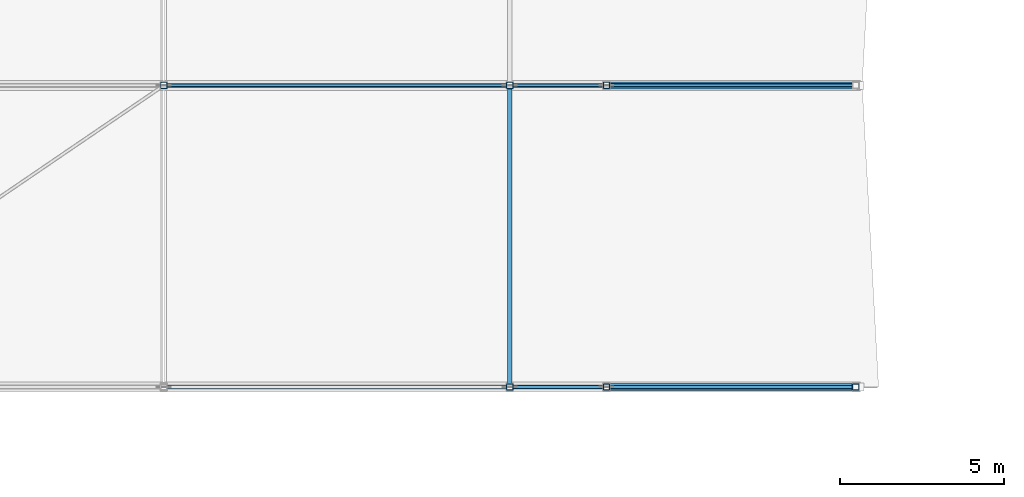
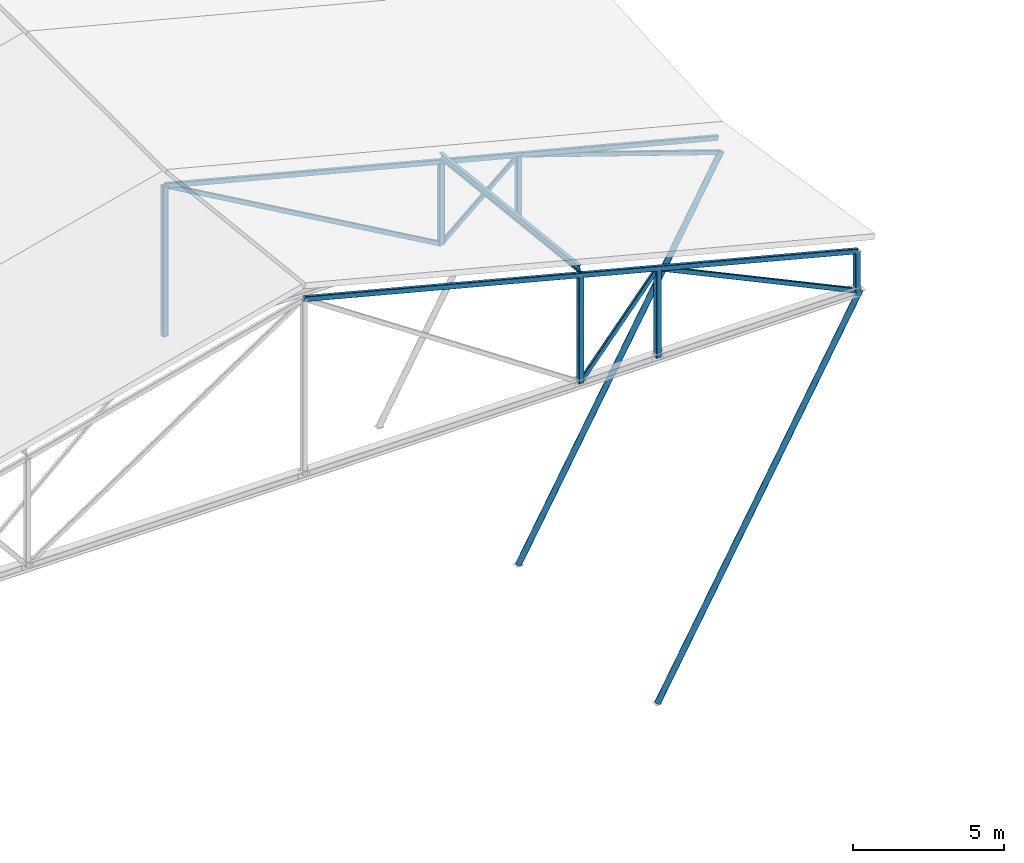
# One storey, part 13 of 56: 16 members.
"""IFC4 building model written with IfcOpenShell, lengths in metres."""

import ifcopenshell
import ifcopenshell.guid

model = None  # the IFC model being written
_history = None  # IfcOwnerHistory: only IFC2X3 demands one
_inside = {}  # id of a spatial element -> (the spatial element, [elements in it])
_under = {}  # id of a project, library or spatial element -> (it, [spatial elements below it])
_declared = {}  # id of a project -> (the project, [libraries it declares])
_typed = {}  # id of a type object -> (the type object, [elements of that type])
_made_of = {}  # id of a material, layer set ... -> (it, [elements and type objects made of it])


def new_model(schema):
    """Start an empty IFC model of exactly this schema.

    Asked for "IFC4X3", IfcOpenShell would pick the latest addendum, in which some entities
    have other attributes; the version numbers below select the first issue.
    IFC2X3 requires an IfcOwnerHistory on every rooted entity: one is made here for all.
    """
    global model, _history
    if schema == "IFC4X3":
        model = ifcopenshell.file(schema_version=(4, 3, 0, 0))
    else:
        model = ifcopenshell.file(schema=schema)
    _inside.clear()
    _under.clear()
    _declared.clear()
    _typed.clear()
    _made_of.clear()
    _history = None
    if model.schema == "IFC2X3":
        org = make("IfcOrganization", Name="unknown")
        user = make(
            "IfcPersonAndOrganization",
            ThePerson=make("IfcPerson", FamilyName="unknown"),
            TheOrganization=org,
        )
        app = make(
            "IfcApplication",
            ApplicationDeveloper=org,
            Version="unknown",
            ApplicationFullName="unknown",
            ApplicationIdentifier="unknown",
        )
        _history = make(
            "IfcOwnerHistory",
            OwningUser=user,
            OwningApplication=app,
            ChangeAction="ADDED",
            CreationDate=0,
        )
    return model


def make(cls, **values):
    """One entity of the class cls with the attributes given. An attribute that is None is left unset."""
    return model.create_entity(
        cls, **{name: value for name, value in values.items() if value is not None}
    )


def rooted(cls, **values):
    """An entity with a GlobalId (a new one), such as an element, a storey or a relation."""
    return make(cls, GlobalId=ifcopenshell.guid.new(), OwnerHistory=_history, **values)


def si_unit(unit_type, name, prefix=None):
    """IfcSIUnit, for example si_unit("LENGTHUNIT", "METRE", prefix="MILLI")."""
    return make("IfcSIUnit", UnitType=unit_type, Prefix=prefix, Name=name)


def assignment(units):
    """IfcUnitAssignment: the units of a project."""
    return None if units is None else make("IfcUnitAssignment", Units=units)


def point(xyz):
    """IfcCartesianPoint."""
    return None if xyz is None else make("IfcCartesianPoint", Coordinates=xyz)


def direction(xyz):
    """IfcDirection."""
    return None if xyz is None else make("IfcDirection", DirectionRatios=xyz)


def frame(location, z_axis=None, x_axis=None):
    """IfcAxis2Placement3D, a coordinate frame: its origin and axes. An axis left out is left unset."""
    return make(
        "IfcAxis2Placement3D",
        Location=point(location),
        Axis=direction(z_axis),
        RefDirection=direction(x_axis),
    )


def frame_2d(location, x_axis=None):
    """IfcAxis2Placement2D, a coordinate frame in the plane: its origin and x axis."""
    return make(
        "IfcAxis2Placement2D", Location=point(location), RefDirection=direction(x_axis)
    )


def origin():
    """The frame at (0, 0, 0) with its axes left unset."""
    return frame((0.0, 0.0, 0.0))


def origin_2d():
    """The frame at (0, 0) in the plane with its x axis left unset."""
    return frame_2d((0.0, 0.0))


def place(relative_to, where):
    """IfcLocalPlacement: puts the frame where relative to a parent placement (None: the world)."""
    return make(
        "IfcLocalPlacement", PlacementRelTo=relative_to, RelativePlacement=where
    )


def context(
    kind, dimensions, precision=None, world=None, true_north=None, identifier=None
):
    """IfcGeometricRepresentationContext, for example the 3D "Model" context."""
    return make(
        "IfcGeometricRepresentationContext",
        ContextIdentifier=identifier,
        ContextType=kind,
        CoordinateSpaceDimension=dimensions,
        Precision=precision,
        WorldCoordinateSystem=world,
        TrueNorth=true_north,
    )


def subcontext(parent, identifier, kind, view, scale=None):
    """IfcGeometricRepresentationSubContext, for example "Body" below "Model"."""
    return make(
        "IfcGeometricRepresentationSubContext",
        ContextIdentifier=identifier,
        ContextType=kind,
        ParentContext=parent,
        TargetScale=scale,
        TargetView=view,
    )


def project(units=None, contexts=None):
    """IfcProject with its units and contexts."""
    return rooted(
        "IfcProject",
        Name="project",
        RepresentationContexts=contexts,
        UnitsInContext=assignment(units),
    )


def spatial(cls, under=None, at=None, **own):
    """A site, building, storey or space (cls), placed at a placement, below another one or the project."""
    s = rooted(cls, ObjectPlacement=at, **own)
    if under is not None:
        _under.setdefault(under.id(), (under, []))[1].append(s)
    return s


def profile(cls, at=None, kind="AREA", **sizes):
    """A parametric profile (cls). Its sizes go by their IFC names, for example OverallWidth=200.0."""
    return make(cls, ProfileType=kind, Position=at, **sizes)


def hollow_rectangle(**sizes):
    """IfcRectangleHollowProfileDef."""
    return profile("IfcRectangleHollowProfileDef", **sizes)


def hollow_circle(**sizes):
    """IfcCircleHollowProfileDef."""
    return profile("IfcCircleHollowProfileDef", **sizes)


def i_section(**sizes):
    """IfcIShapeProfileDef."""
    return profile("IfcIShapeProfileDef", **sizes)


def extrude(swept, where, along, depth):
    """IfcExtrudedAreaSolid: the profile swept, set in the frame where, extruded along a direction by depth."""
    return make(
        "IfcExtrudedAreaSolid",
        SweptArea=swept,
        Position=where,
        ExtrudedDirection=direction(along),
        Depth=depth,
    )


def shape(context_of_items, identifier, shape_type, items):
    """IfcShapeRepresentation: the items that make up one representation, for example the "Body"."""
    return make(
        "IfcShapeRepresentation",
        ContextOfItems=context_of_items,
        RepresentationIdentifier=identifier,
        RepresentationType=shape_type,
        Items=items,
    )


def material(Name=None, Category=None):
    """IfcMaterial."""
    return make("IfcMaterial", Name=Name, Category=Category)


def material_profile(
    of_material, cross_section, Name=None, Category=None, Priority=None
):
    """IfcMaterialProfile: a cross section and its material."""
    return make(
        "IfcMaterialProfile",
        Name=Name,
        Material=of_material,
        Profile=cross_section,
        Priority=Priority,
        Category=Category,
    )


def profile_set(profiles, Name=None, composite=None):
    """IfcMaterialProfileSet."""
    return make(
        "IfcMaterialProfileSet",
        Name=Name,
        MaterialProfiles=profiles,
        CompositeProfile=composite,
    )


def made_of(thing, what):
    """Note that an element or type object is made of a material, layer set ...; save() writes the relation."""
    if what is not None:
        _made_of.setdefault(what.id(), (what, []))[1].append(thing)
    return thing


def type_object(cls, material=None, **own):
    """A type object (cls), such as IfcWallType, which elements share."""
    return made_of(rooted(cls, **own), material)


def element(
    cls,
    number,
    at=None,
    inside=None,
    cuts=None,
    type_object=None,
    material=None,
    context=None,
    identifier="Body",
    shape_type=None,
    held_by="IfcProductDefinitionShape",
    body=None,
    shapes=None,
    **own,
):
    """One element of the class cls, such as IfcWall. Its Tag is "e" and its number.

    at: its placement. inside: the storey or other place that contains it. cuts: it is an
    opening in that element (IfcRelVoidsElement). A single representation is given by context,
    identifier, shape_type and body (its items); several are given by shapes. held_by: the class
    of the entity that holds the representations. save() writes the other relations.
    """
    e = rooted(cls, Tag="e%d" % number, ObjectPlacement=at, **own)
    if body is not None:
        shapes = [shape(context, identifier, shape_type, body)]
    if shapes is not None:
        e.Representation = make(held_by, Representations=shapes)
    if inside is not None:
        _inside.setdefault(inside.id(), (inside, []))[1].append(e)
    if cuts is not None:
        rooted(
            "IfcRelVoidsElement", RelatingBuildingElement=cuts, RelatedOpeningElement=e
        )
    if type_object is not None:
        _typed.setdefault(type_object.id(), (type_object, []))[1].append(e)
    return made_of(e, material)


def aggregate(whole, parts):
    """IfcRelAggregates: a whole, such as a stair, and the parts it consists of."""
    return rooted("IfcRelAggregates", RelatingObject=whole, RelatedObjects=parts)


def save(model, path):
    """Write the relations noted so far, then the file.

    IfcRelAggregates (storeys below a building ...), IfcRelContainedInSpatialStructure (elements
    in a storey), IfcRelDefinesByType, IfcRelAssociatesMaterial and IfcRelDeclares: one each for
    every whole, place, type object, material and project.
    """
    for whole, parts in _under.values():
        aggregate(whole, parts)
    for where, things in _inside.values():
        rooted(
            "IfcRelContainedInSpatialStructure",
            RelatedElements=things,
            RelatingStructure=where,
        )
    for kind, things in _typed.values():
        rooted("IfcRelDefinesByType", RelatedObjects=things, RelatingType=kind)
    for what, things in _made_of.values():
        rooted("IfcRelAssociatesMaterial", RelatedObjects=things, RelatingMaterial=what)
    for by, libraries in _declared.values():
        rooted("IfcRelDeclares", RelatingContext=by, RelatedDefinitions=libraries)
    model.write(path)


model = new_model("IFC4")

# Units and contexts
model_context = context("Model", 3, precision=1e-05, world=origin(), true_north=direction((0.0, 1.0)))
body_context = subcontext(model_context, "Body", "Model", "MODEL_VIEW")
ifc_project = project(units=[si_unit("LENGTHUNIT", "METRE"), si_unit("AREAUNIT", "SQUARE_METRE"), si_unit("VOLUMEUNIT", "CUBIC_METRE"), si_unit("PLANEANGLEUNIT", "RADIAN"), si_unit("MASSUNIT", "GRAM", prefix="KILO")], contexts=[model_context])

# Site, building, storey
site_placement = place(None, origin())
site = spatial("IfcSite", under=ifc_project, at=site_placement, CompositionType="ELEMENT")
building_placement = place(site_placement, origin())
building = spatial("IfcBuilding", under=site, at=building_placement, Name="Bozkorgan Art Gallery", CompositionType="ELEMENT")
storey_placement = place(building_placement, frame((0.0, 0.0, 24.0)))
storey = spatial("IfcBuildingStorey", under=building, at=storey_placement, Name="L05", CompositionType="ELEMENT", Elevation=24.0)

# Members
ifc_material = material(Name="Steel S355J2", Category="steel")
ifc_material_profile_1 = material_profile(ifc_material, hollow_circle(Radius=0.109619140625, WallThickness=0.010009765625, at=origin_2d()), Name="CHS 219.1x10")
ifc_profile_set_1 = profile_set([ifc_material_profile_1], Name="Steel S355J2")
member_type_1 = type_object("IfcMemberType", Name="MEMBER-ES-44", PredefinedType="BRACE", material=ifc_profile_set_1)
for number, where, z_axis, x_axis, name in (
    (1, (101.0, 47.60009765625, -13.800048828125), (0.484367254786, 0.0, 0.874864768116), (0.0, 1.0, 0.0), "ROOF-V4-MAIN east swept-eave diagonal tree-strut 1"),
    (2, (101.0, 56.800048828125, -13.800048828125), (0.484367254786, 0.0, 0.874864768116), (0.0, 1.0, 0.0), "ROOF-V4-MAIN east swept-eave diagonal tree-strut 2"),
):
    element("IfcMember", number, at=place(storey_placement, frame(where, z_axis=z_axis, x_axis=x_axis)), inside=storey, type_object=member_type_1, Name=name, PredefinedType="BRACE", context=body_context, shape_type="SweptSolid", body=[
        extrude(hollow_circle(Radius=0.109619140625, WallThickness=0.010009765625, at=origin_2d()), origin(), (0.0, 0.0, 1.0), 15.9794921875),
    ])
ifc_material_profile_2 = material_profile(ifc_material, i_section(OverallWidth=0.135009765625, OverallDepth=0.27001953125, WebThickness=0.006591796875, FlangeThickness=0.01025390625, FilletRadius=0.014892578125, at=origin_2d()), Name="IPE 270")
ifc_profile_set_2 = profile_set([ifc_material_profile_2], Name="Steel S355J2")
member_type_2 = type_object("IfcMemberType", Name="MEMBER-PR-57", PredefinedType="PURLIN", material=ifc_profile_set_2)
member_1_placement = place(storey_placement, frame((98.050048828125, 47.60009765625, 4.74365234375), z_axis=(0.0, 0.994056223168, -0.108867925404), x_axis=(-1.0, 0.0, 0.0)))
element("IfcMember", 3, at=member_1_placement, inside=storey, type_object=member_type_2, Name="ROOF-V4-MAIN roof purlin 1E", PredefinedType="PURLIN", context=body_context, shape_type="SweptSolid", body=[
    extrude(i_section(OverallWidth=0.135009765625, OverallDepth=0.27001953125, WebThickness=0.006591796875, FlangeThickness=0.01025390625, FilletRadius=0.014892578125, at=origin_2d()), origin(), (0.0, 0.0, 1.0), 9.2548828125),
])
ifc_material_profile_3 = material_profile(ifc_material, hollow_rectangle(XDim=0.1201171875, YDim=0.199951171875, WallThickness=0.008056640625, InnerFilletRadius=0.011962890625, OuterFilletRadius=0.02001953125, at=origin_2d()), Name="RHS 200x120x8")
ifc_profile_set_3 = profile_set([ifc_material_profile_3], Name="Steel S355J2")
member_type_3 = type_object("IfcMemberType", Name="MEMBER-TC-48", PredefinedType="CHORD", material=ifc_profile_set_3)
for number, where, z_axis, x_axis, name in (
    (4, (87.5, 47.60009765625, 7.237060546875), (0.968148409779, 0.0, -0.250377028984), (0.0, 1.0, 0.0), "ROOF-V4-MAIN roof truss 1 east top chord"),
    (5, (87.5, 56.800048828125, 6.2294921875), (0.968148409779, 0.0, -0.250377028984), (0.0, 1.0, 0.0), "ROOF-V4-MAIN roof truss 2 east top chord"),
):
    element("IfcMember", number, at=place(storey_placement, frame(where, z_axis=z_axis, x_axis=x_axis)), inside=storey, type_object=member_type_3, Name=name, PredefinedType="CHORD", context=body_context, shape_type="SweptSolid", body=[
        extrude(hollow_rectangle(XDim=0.1201171875, YDim=0.199951171875, WallThickness=0.008056640625, InnerFilletRadius=0.011962890625, OuterFilletRadius=0.02001953125, at=origin_2d()), origin(), (0.0, 0.0, 1.0), 21.794189453125),
    ])
ifc_material_profile_4 = material_profile(ifc_material, hollow_rectangle(XDim=0.199951171875, YDim=0.199951171875, WallThickness=0.010009765625, InnerFilletRadius=0.014892578125, OuterFilletRadius=0.02490234375, at=origin_2d()), Name="SHS 200x200x10")
ifc_profile_set_4 = profile_set([ifc_material_profile_4], Name="Steel S355J2")
member_type_4 = type_object("IfcMemberType", Name="MEMBER-TP-32", PredefinedType="POST", material=ifc_profile_set_4)
member_2_placement = place(storey_placement, frame((98.050048828125, 47.60009765625, 0.179931640625), z_axis=(0.0, 0.0, 1.0), x_axis=(1.0, 0.0, 0.0)))
element("IfcMember", 6, at=member_2_placement, inside=storey, type_object=member_type_4, Name="ROOF-V4-MAIN roof truss 1 post 4", PredefinedType="POST", context=body_context, shape_type="SweptSolid", body=[
    extrude(hollow_rectangle(XDim=0.199951171875, YDim=0.199951171875, WallThickness=0.010009765625, InnerFilletRadius=0.014892578125, OuterFilletRadius=0.02490234375, at=origin_2d()), origin(), (0.0, 0.0, 1.0), 4.32861328125),
])
member_3_placement = place(storey_placement, frame((101.0, 47.60009765625, 0.179931640625), z_axis=(0.0, 0.0, 1.0), x_axis=(1.0, 0.0, 0.0)))
element("IfcMember", 7, at=member_3_placement, inside=storey, type_object=member_type_4, Name="ROOF-V4-MAIN roof truss 1 post 5", PredefinedType="POST", context=body_context, shape_type="SweptSolid", body=[
    extrude(hollow_rectangle(XDim=0.199951171875, YDim=0.199951171875, WallThickness=0.010009765625, InnerFilletRadius=0.014892578125, OuterFilletRadius=0.02490234375, at=origin_2d()), origin(), (0.0, 0.0, 1.0), 3.565673828125),
])
member_4_placement = place(storey_placement, frame((108.60009765625, 47.60009765625, 0.179931640625), z_axis=(0.0, 0.0, 1.0), x_axis=(1.0, 0.0, 0.0)))
element("IfcMember", 8, at=member_4_placement, inside=storey, type_object=member_type_4, Name="ROOF-V4-MAIN roof truss 1 post 6", PredefinedType="POST", context=body_context, shape_type="SweptSolid", body=[
    extrude(hollow_rectangle(XDim=0.199951171875, YDim=0.199951171875, WallThickness=0.010009765625, InnerFilletRadius=0.014892578125, OuterFilletRadius=0.02490234375, at=origin_2d()), origin(), (0.0, 0.0, 1.0), 1.600341796875),
])
member_5_placement = place(storey_placement, frame((87.5, 56.800048828125, 0.179931640625), z_axis=(0.0, 0.0, 1.0), x_axis=(1.0, 0.0, 0.0)))
element("IfcMember", 9, at=member_5_placement, inside=storey, type_object=member_type_4, Name="ROOF-V4-MAIN roof truss 2 post 3", PredefinedType="POST", context=body_context, shape_type="SweptSolid", body=[
    extrude(hollow_rectangle(XDim=0.199951171875, YDim=0.199951171875, WallThickness=0.010009765625, InnerFilletRadius=0.014892578125, OuterFilletRadius=0.02490234375, at=origin_2d()), origin(), (0.0, 0.0, 1.0), 6.049560546875),
])
member_6_placement = place(storey_placement, frame((98.050048828125, 56.800048828125, 0.179931640625), z_axis=(0.0, 0.0, 1.0), x_axis=(1.0, 0.0, 0.0)))
element("IfcMember", 10, at=member_6_placement, inside=storey, type_object=member_type_4, Name="ROOF-V4-MAIN roof truss 2 post 4", PredefinedType="POST", context=body_context, shape_type="SweptSolid", body=[
    extrude(hollow_rectangle(XDim=0.199951171875, YDim=0.199951171875, WallThickness=0.010009765625, InnerFilletRadius=0.014892578125, OuterFilletRadius=0.02490234375, at=origin_2d()), origin(), (0.0, 0.0, 1.0), 3.321044921875),
])
member_7_placement = place(storey_placement, frame((101.0, 56.800048828125, 0.179931640625), z_axis=(0.0, 0.0, 1.0), x_axis=(1.0, 0.0, 0.0)))
element("IfcMember", 11, at=member_7_placement, inside=storey, type_object=member_type_4, Name="ROOF-V4-MAIN roof truss 2 post 5", PredefinedType="POST", context=body_context, shape_type="SweptSolid", body=[
    extrude(hollow_rectangle(XDim=0.199951171875, YDim=0.199951171875, WallThickness=0.010009765625, InnerFilletRadius=0.014892578125, OuterFilletRadius=0.02490234375, at=origin_2d()), origin(), (0.0, 0.0, 1.0), 2.55810546875),
])
ifc_material_profile_5 = material_profile(ifc_material, hollow_rectangle(XDim=0.10009765625, YDim=0.179931640625, WallThickness=0.008056640625, InnerFilletRadius=0.011962890625, OuterFilletRadius=0.02001953125, at=origin_2d()), Name="RHS 180x100x8")
ifc_profile_set_5 = profile_set([ifc_material_profile_5], Name="Steel S355J2")
member_type_5 = type_object("IfcMemberType", Name="MEMBER-TW-22", PredefinedType="BRACE", material=ifc_profile_set_5)
member_8_placement = place(storey_placement, frame((98.050048828125, 47.60009765625, 0.179931640625), z_axis=(0.637445701774, 0.0, 0.770495280511), x_axis=(0.0, 1.0, 0.0)))
element("IfcMember", 12, at=member_8_placement, inside=storey, type_object=member_type_5, Name="ROOF-V4-MAIN roof truss 1 diagonal 5", PredefinedType="BRACE", context=body_context, shape_type="SweptSolid", body=[
    extrude(hollow_rectangle(XDim=0.10009765625, YDim=0.179931640625, WallThickness=0.008056640625, InnerFilletRadius=0.011962890625, OuterFilletRadius=0.02001953125, at=origin_2d()), origin(), (0.0, 0.0, 1.0), 4.627685546875),
])
member_9_placement = place(storey_placement, frame((101.0, 47.60009765625, 3.74560546875), z_axis=(0.90531568753, 0.0, -0.424739338785), x_axis=(0.0, 1.0, 0.0)))
element("IfcMember", 13, at=member_9_placement, inside=storey, type_object=member_type_5, Name="ROOF-V4-MAIN roof truss 1 diagonal 6", PredefinedType="BRACE", context=body_context, shape_type="SweptSolid", body=[
    extrude(hollow_rectangle(XDim=0.10009765625, YDim=0.179931640625, WallThickness=0.008056640625, InnerFilletRadius=0.011962890625, OuterFilletRadius=0.02001953125, at=origin_2d()), origin(), (0.0, 0.0, 1.0), 8.39501953125),
])
member_10_placement = place(storey_placement, frame((87.5, 56.800048828125, 6.2294921875), z_axis=(0.867499704855, 0.0, -0.497437696679), x_axis=(0.0, 1.0, 0.0)))
element("IfcMember", 14, at=member_10_placement, inside=storey, type_object=member_type_5, Name="ROOF-V4-MAIN roof truss 2 diagonal 4", PredefinedType="BRACE", context=body_context, shape_type="SweptSolid", body=[
    extrude(hollow_rectangle(XDim=0.10009765625, YDim=0.179931640625, WallThickness=0.008056640625, InnerFilletRadius=0.011962890625, OuterFilletRadius=0.02001953125, at=origin_2d()), origin(), (0.0, 0.0, 1.0), 12.161376953125),
])
member_11_placement = place(storey_placement, frame((98.050048828125, 56.800048828125, 0.179931640625), z_axis=(0.755501315133, 0.0, 0.655147130676), x_axis=(0.0, 1.0, 0.0)))
element("IfcMember", 15, at=member_11_placement, inside=storey, type_object=member_type_5, Name="ROOF-V4-MAIN roof truss 2 diagonal 5", PredefinedType="BRACE", context=body_context, shape_type="SweptSolid", body=[
    extrude(hollow_rectangle(XDim=0.10009765625, YDim=0.179931640625, WallThickness=0.008056640625, InnerFilletRadius=0.011962890625, OuterFilletRadius=0.02001953125, at=origin_2d()), origin(), (0.0, 0.0, 1.0), 3.904541015625),
])
member_12_placement = place(storey_placement, frame((101.0, 56.800048828125, 2.738037109375), z_axis=(0.947753705978, 0.0, -0.319002998112), x_axis=(0.0, 1.0, 0.0)))
element("IfcMember", 16, at=member_12_placement, inside=storey, type_object=member_type_5, Name="ROOF-V4-MAIN roof truss 2 diagonal 6", PredefinedType="BRACE", context=body_context, shape_type="SweptSolid", body=[
    extrude(hollow_rectangle(XDim=0.10009765625, YDim=0.179931640625, WallThickness=0.008056640625, InnerFilletRadius=0.011962890625, OuterFilletRadius=0.02001953125, at=origin_2d()), origin(), (0.0, 0.0, 1.0), 8.01904296875),
])

save(model, "model.ifc")
